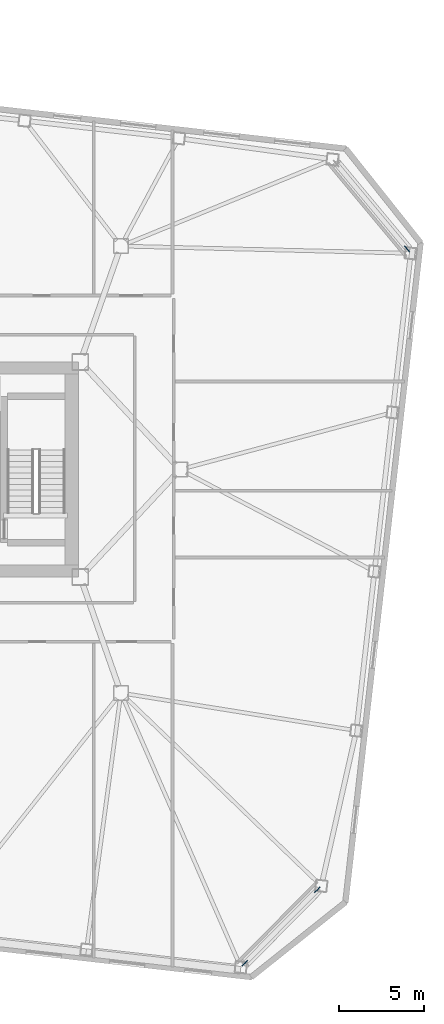
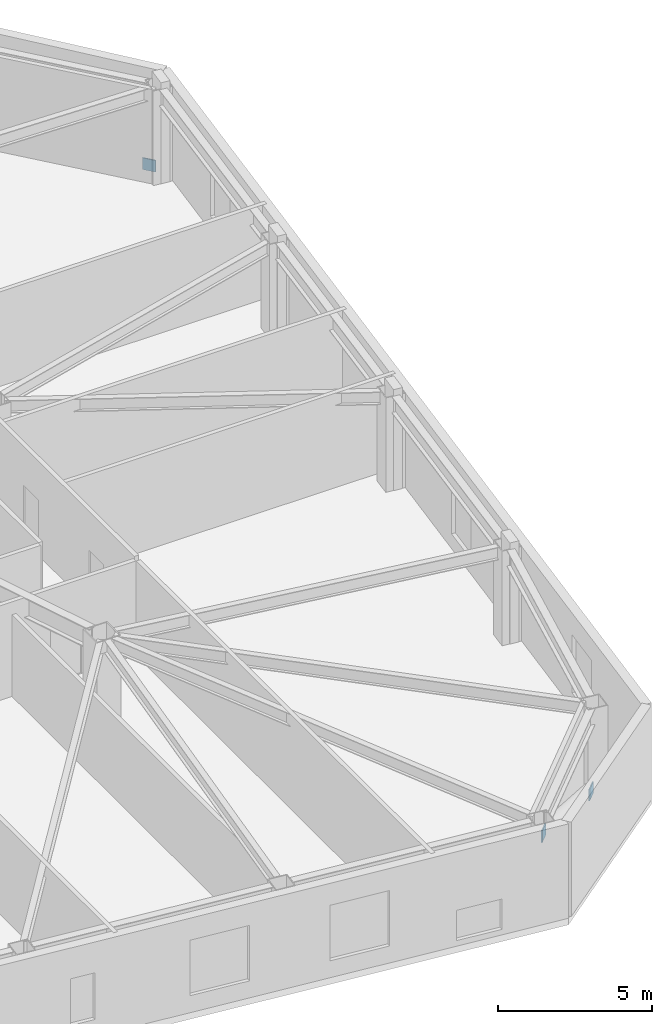
# One storey, part 18 of 20: 3 discrete accessories.
"""IFC4 building model written with IfcOpenShell, lengths in metres."""

from ifc_helpers import new_model, si_unit, direction, frame, origin, origin_2d, place, context, subcontext, project, spatial, rectangle, extrude, material, type_object, element, save


model = new_model("IFC4")

# Units and contexts
model_context = context("Model", 3, precision=1e-05, world=origin(), true_north=direction((0.0, 1.0)))
body_context = subcontext(model_context, "Body", "Model", "MODEL_VIEW")
ifc_project = project(units=[si_unit("LENGTHUNIT", "METRE"), si_unit("AREAUNIT", "SQUARE_METRE"), si_unit("VOLUMEUNIT", "CUBIC_METRE"), si_unit("PLANEANGLEUNIT", "RADIAN"), si_unit("MASSUNIT", "GRAM", prefix="KILO")], contexts=[model_context])

# Site, building, storey
site_placement = place(None, origin())
site = spatial("IfcSite", under=ifc_project, at=site_placement, CompositionType="ELEMENT")
building_placement = place(site_placement, origin())
building = spatial("IfcBuilding", under=site, at=building_placement, Name="Tavrogorsk Clinical Tower", CompositionType="ELEMENT")
storey_placement = place(building_placement, frame((0.0, 0.0, 105.39990234375)))
storey = spatial("IfcBuildingStorey", under=building, at=storey_placement, Name="L23", CompositionType="ELEMENT", Elevation=105.39990234375)

# Discrete accessories
ifc_material = material(Name="Structural steel S440", Category="steel")
discrete_accessory_type = type_object("IfcDiscreteAccessoryType", Name="GussetPlateBracket_25", PredefinedType="BRACKET", material=ifc_material)
for number, where, z_axis, x_axis, name in (
    (1, (36.1025390625, -24.82763671875, 0.20458984375), (0.0, 0.0, 1.0), (-0.702898299792, -0.711290362756, 0.0), "L23 Brace Gusset Plate EXOCRN-L23-1-A"),
    (2, (31.81640625, -29.1650390625, 2.67578125), (0.0, 0.0, 1.0), (-0.702898299792, -0.711290362756, 0.0), "L23 Brace Gusset Plate EXOCRN-L23-1-B"),
    (3, (41.40771484375, 13.03076171875, 0.197021484375), (0.0, 0.0, 1.0), (-0.640243780506, 0.768171791674, 0.0), "L23 Brace Gusset Plate EXOCRN-L23-2-A"),
):
    element("IfcDiscreteAccessory", number, at=place(storey_placement, frame(where, z_axis=z_axis, x_axis=x_axis)), inside=storey, type_object=discrete_accessory_type, Name=name, PredefinedType="BRACKET", context=body_context, shape_type="SweptSolid", body=[
        extrude(rectangle(XDim=0.4599609375, YDim=0.0400390625, at=origin_2d()), origin(), (0.0, 0.0, 1.0), 0.4599609375),
    ])

save(model, "model.ifc")
